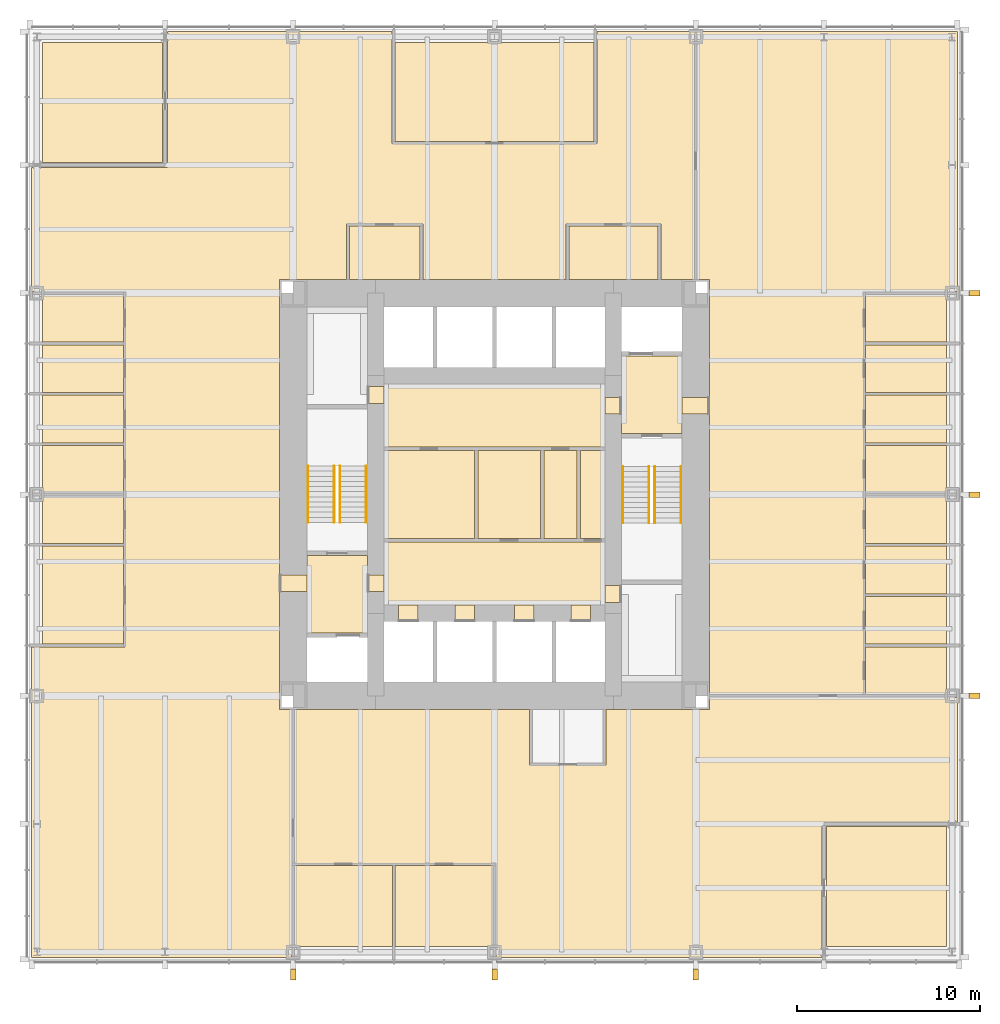
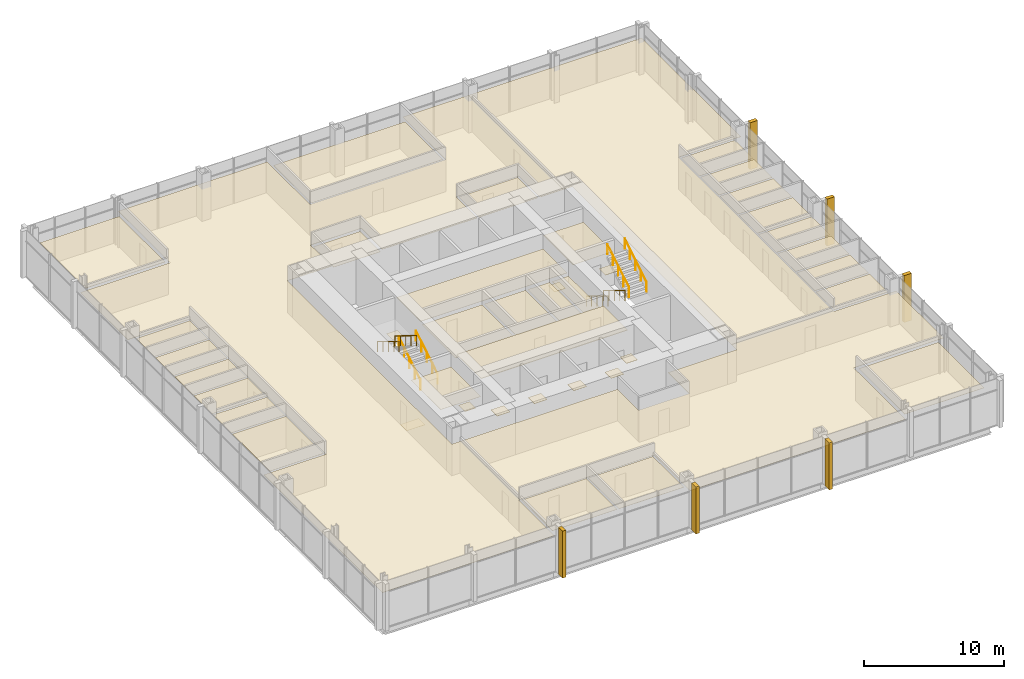
# One storey, part 13 of 13: 48 coverings, 8 railings.
"""IFC4 building model written with IfcOpenShell, lengths in metres."""

import ifcopenshell
import ifcopenshell.guid

model = None  # the IFC model being written
_history = None  # IfcOwnerHistory: only IFC2X3 demands one
_inside = {}  # id of a spatial element -> (the spatial element, [elements in it])
_under = {}  # id of a project, library or spatial element -> (it, [spatial elements below it])
_declared = {}  # id of a project -> (the project, [libraries it declares])
_typed = {}  # id of a type object -> (the type object, [elements of that type])
_made_of = {}  # id of a material, layer set ... -> (it, [elements and type objects made of it])


def new_model(schema):
    """Start an empty IFC model of exactly this schema.

    Asked for "IFC4X3", IfcOpenShell would pick the latest addendum, in which some entities
    have other attributes; the version numbers below select the first issue.
    IFC2X3 requires an IfcOwnerHistory on every rooted entity: one is made here for all.
    """
    global model, _history
    if schema == "IFC4X3":
        model = ifcopenshell.file(schema_version=(4, 3, 0, 0))
    else:
        model = ifcopenshell.file(schema=schema)
    _inside.clear()
    _under.clear()
    _declared.clear()
    _typed.clear()
    _made_of.clear()
    _history = None
    if model.schema == "IFC2X3":
        org = make("IfcOrganization", Name="unknown")
        user = make(
            "IfcPersonAndOrganization",
            ThePerson=make("IfcPerson", FamilyName="unknown"),
            TheOrganization=org,
        )
        app = make(
            "IfcApplication",
            ApplicationDeveloper=org,
            Version="unknown",
            ApplicationFullName="unknown",
            ApplicationIdentifier="unknown",
        )
        _history = make(
            "IfcOwnerHistory",
            OwningUser=user,
            OwningApplication=app,
            ChangeAction="ADDED",
            CreationDate=0,
        )
    return model


def make(cls, **values):
    """One entity of the class cls with the attributes given. An attribute that is None is left unset."""
    return model.create_entity(
        cls, **{name: value for name, value in values.items() if value is not None}
    )


def rooted(cls, **values):
    """An entity with a GlobalId (a new one), such as an element, a storey or a relation."""
    return make(cls, GlobalId=ifcopenshell.guid.new(), OwnerHistory=_history, **values)


def si_unit(unit_type, name, prefix=None):
    """IfcSIUnit, for example si_unit("LENGTHUNIT", "METRE", prefix="MILLI")."""
    return make("IfcSIUnit", UnitType=unit_type, Prefix=prefix, Name=name)


def assignment(units):
    """IfcUnitAssignment: the units of a project."""
    return None if units is None else make("IfcUnitAssignment", Units=units)


def point(xyz):
    """IfcCartesianPoint."""
    return None if xyz is None else make("IfcCartesianPoint", Coordinates=xyz)


def direction(xyz):
    """IfcDirection."""
    return None if xyz is None else make("IfcDirection", DirectionRatios=xyz)


def frame(location, z_axis=None, x_axis=None):
    """IfcAxis2Placement3D, a coordinate frame: its origin and axes. An axis left out is left unset."""
    return make(
        "IfcAxis2Placement3D",
        Location=point(location),
        Axis=direction(z_axis),
        RefDirection=direction(x_axis),
    )


def frame_2d(location, x_axis=None):
    """IfcAxis2Placement2D, a coordinate frame in the plane: its origin and x axis."""
    return make(
        "IfcAxis2Placement2D", Location=point(location), RefDirection=direction(x_axis)
    )


def origin():
    """The frame at (0, 0, 0) with its axes left unset."""
    return frame((0.0, 0.0, 0.0))


def origin_2d():
    """The frame at (0, 0) in the plane with its x axis left unset."""
    return frame_2d((0.0, 0.0))


def place(relative_to, where):
    """IfcLocalPlacement: puts the frame where relative to a parent placement (None: the world)."""
    return make(
        "IfcLocalPlacement", PlacementRelTo=relative_to, RelativePlacement=where
    )


def context(
    kind, dimensions, precision=None, world=None, true_north=None, identifier=None
):
    """IfcGeometricRepresentationContext, for example the 3D "Model" context."""
    return make(
        "IfcGeometricRepresentationContext",
        ContextIdentifier=identifier,
        ContextType=kind,
        CoordinateSpaceDimension=dimensions,
        Precision=precision,
        WorldCoordinateSystem=world,
        TrueNorth=true_north,
    )


def subcontext(parent, identifier, kind, view, scale=None):
    """IfcGeometricRepresentationSubContext, for example "Body" below "Model"."""
    return make(
        "IfcGeometricRepresentationSubContext",
        ContextIdentifier=identifier,
        ContextType=kind,
        ParentContext=parent,
        TargetScale=scale,
        TargetView=view,
    )


def project(units=None, contexts=None):
    """IfcProject with its units and contexts."""
    return rooted(
        "IfcProject",
        Name="project",
        RepresentationContexts=contexts,
        UnitsInContext=assignment(units),
    )


def spatial(cls, under=None, at=None, **own):
    """A site, building, storey or space (cls), placed at a placement, below another one or the project."""
    s = rooted(cls, ObjectPlacement=at, **own)
    if under is not None:
        _under.setdefault(under.id(), (under, []))[1].append(s)
    return s


def polyline(points):
    """IfcPolyline through the points."""
    return make("IfcPolyline", Points=[point(p) for p in points])


def profile(cls, at=None, kind="AREA", **sizes):
    """A parametric profile (cls). Its sizes go by their IFC names, for example OverallWidth=200.0."""
    return make(cls, ProfileType=kind, Position=at, **sizes)


def rectangle(**sizes):
    """IfcRectangleProfileDef."""
    return profile("IfcRectangleProfileDef", **sizes)


def circle(**sizes):
    """IfcCircleProfileDef."""
    return profile("IfcCircleProfileDef", **sizes)


def outline(outer, holes=None, kind="AREA"):
    """IfcArbitraryClosedProfileDef: a profile drawn as a closed curve; with holes, ...WithVoids."""
    if holes is None:
        return make("IfcArbitraryClosedProfileDef", ProfileType=kind, OuterCurve=outer)
    return make(
        "IfcArbitraryProfileDefWithVoids",
        ProfileType=kind,
        OuterCurve=outer,
        InnerCurves=holes,
    )


def extrude(swept, where, along, depth):
    """IfcExtrudedAreaSolid: the profile swept, set in the frame where, extruded along a direction by depth."""
    return make(
        "IfcExtrudedAreaSolid",
        SweptArea=swept,
        Position=where,
        ExtrudedDirection=direction(along),
        Depth=depth,
    )


def shape(context_of_items, identifier, shape_type, items):
    """IfcShapeRepresentation: the items that make up one representation, for example the "Body"."""
    return make(
        "IfcShapeRepresentation",
        ContextOfItems=context_of_items,
        RepresentationIdentifier=identifier,
        RepresentationType=shape_type,
        Items=items,
    )


def material(Name=None, Category=None):
    """IfcMaterial."""
    return make("IfcMaterial", Name=Name, Category=Category)


def layer(
    of_material, thickness, ventilated=None, Name=None, Category=None, Priority=None
):
    """IfcMaterialLayer: one layer of a wall or slab, of a material (None: an air gap)."""
    return make(
        "IfcMaterialLayer",
        Material=of_material,
        LayerThickness=thickness,
        IsVentilated=ventilated,
        Name=Name,
        Category=Category,
        Priority=Priority,
    )


def layer_set(layers, Name=None):
    """IfcMaterialLayerSet."""
    return make("IfcMaterialLayerSet", MaterialLayers=layers, LayerSetName=Name)


def made_of(thing, what):
    """Note that an element or type object is made of a material, layer set ...; save() writes the relation."""
    if what is not None:
        _made_of.setdefault(what.id(), (what, []))[1].append(thing)
    return thing


def type_object(cls, material=None, **own):
    """A type object (cls), such as IfcWallType, which elements share."""
    return made_of(rooted(cls, **own), material)


def element(
    cls,
    number,
    at=None,
    inside=None,
    cuts=None,
    type_object=None,
    material=None,
    context=None,
    identifier="Body",
    shape_type=None,
    held_by="IfcProductDefinitionShape",
    body=None,
    shapes=None,
    **own,
):
    """One element of the class cls, such as IfcWall. Its Tag is "e" and its number.

    at: its placement. inside: the storey or other place that contains it. cuts: it is an
    opening in that element (IfcRelVoidsElement). A single representation is given by context,
    identifier, shape_type and body (its items); several are given by shapes. held_by: the class
    of the entity that holds the representations. save() writes the other relations.
    """
    e = rooted(cls, Tag="e%d" % number, ObjectPlacement=at, **own)
    if body is not None:
        shapes = [shape(context, identifier, shape_type, body)]
    if shapes is not None:
        e.Representation = make(held_by, Representations=shapes)
    if inside is not None:
        _inside.setdefault(inside.id(), (inside, []))[1].append(e)
    if cuts is not None:
        rooted(
            "IfcRelVoidsElement", RelatingBuildingElement=cuts, RelatedOpeningElement=e
        )
    if type_object is not None:
        _typed.setdefault(type_object.id(), (type_object, []))[1].append(e)
    return made_of(e, material)


def aggregate(whole, parts):
    """IfcRelAggregates: a whole, such as a stair, and the parts it consists of."""
    return rooted("IfcRelAggregates", RelatingObject=whole, RelatedObjects=parts)


def save(model, path):
    """Write the relations noted so far, then the file.

    IfcRelAggregates (storeys below a building ...), IfcRelContainedInSpatialStructure (elements
    in a storey), IfcRelDefinesByType, IfcRelAssociatesMaterial and IfcRelDeclares: one each for
    every whole, place, type object, material and project.
    """
    for whole, parts in _under.values():
        aggregate(whole, parts)
    for where, things in _inside.values():
        rooted(
            "IfcRelContainedInSpatialStructure",
            RelatedElements=things,
            RelatingStructure=where,
        )
    for kind, things in _typed.values():
        rooted("IfcRelDefinesByType", RelatedObjects=things, RelatingType=kind)
    for what, things in _made_of.values():
        rooted("IfcRelAssociatesMaterial", RelatedObjects=things, RelatingMaterial=what)
    for by, libraries in _declared.values():
        rooted("IfcRelDeclares", RelatingContext=by, RelatedDefinitions=libraries)
    model.write(path)


model = new_model("IFC4")

# Units and contexts
model_context = context("Model", 3, precision=1e-05, world=origin(), true_north=direction((0.0, 1.0)))
body_context = subcontext(model_context, "Body", "Model", "MODEL_VIEW")
ifc_project = project(units=[si_unit("LENGTHUNIT", "METRE"), si_unit("AREAUNIT", "SQUARE_METRE"), si_unit("VOLUMEUNIT", "CUBIC_METRE"), si_unit("PLANEANGLEUNIT", "RADIAN"), si_unit("MASSUNIT", "GRAM", prefix="KILO")], contexts=[model_context])

# Site, building, storey
site_placement = place(None, origin())
site = spatial("IfcSite", under=ifc_project, at=site_placement, CompositionType="ELEMENT")
building_placement = place(site_placement, origin())
building = spatial("IfcBuilding", under=site, at=building_placement, Name="Trevanion Tower", CompositionType="ELEMENT")
storey_placement = place(building_placement, frame((0.0, 0.0, 81.60009765625)))
storey = spatial("IfcBuildingStorey", under=building, at=storey_placement, Name="L19", CompositionType="ELEMENT", Elevation=81.60009765625)

# Coverings
ifc_material_1 = material(Name="Fibrous plaster coffers on suspended steel grid", Category="steel")
ifc_layer_1 = layer(ifc_material_1, 0.050048828125)
ifc_layer_set_1 = layer_set([ifc_layer_1], Name="CL1 coffered fibrous plaster ceiling 50")
covering_type_1 = type_object("IfcCoveringType", Name="CL1 coffered fibrous plaster ceiling 50", PredefinedType="CEILING", material=ifc_layer_set_1)
covering_1_placement = place(storey_placement, frame((0.0, 0.0, 3.0)))
element("IfcCovering", 1, at=covering_1_placement, inside=storey, type_object=covering_type_1, Name="CL1 L19-LBS", PredefinedType="CEILING", context=body_context, shape_type="SweptSolid", body=[
    extrude(outline(polyline([(6.050048828125, -6.050048828125), (6.050048828125, -2.60009765625), (-6.050048828125, -2.60009765625), (-6.050048828125, -6.050048828125), (6.050048828125, -6.050048828125)])), origin(), (0.0, 0.0, 1.0), 0.0498046875),
])
ifc_material_2 = material(Name="Mineral fibre acoustic tiles in exposed grid", Category="mineral fibre")
ifc_layer_2 = layer(ifc_material_2, 0.02001953125)
ifc_layer_set_2 = layer_set([ifc_layer_2], Name="CL2 acoustic tile ceiling 20")
covering_type_2 = type_object("IfcCoveringType", Name="CL2 acoustic tile ceiling 20", PredefinedType="CEILING", material=ifc_layer_set_2)
covering_2_placement = place(storey_placement, frame((0.0, 0.0, 2.75)))
element("IfcCovering", 2, at=covering_2_placement, inside=storey, type_object=covering_type_2, Name="CL2 L19-LBN", PredefinedType="CEILING", context=body_context, shape_type="SweptSolid", body=[
    extrude(outline(polyline([(6.050048828125, 2.60009765625), (6.050048828125, 6.050048828125), (-6.050048828125, 6.050048828125), (-6.050048828125, 2.60009765625), (6.050048828125, 2.60009765625)])), origin(), (0.0, 0.0, 1.0), 0.02001953125),
])
covering_3_placement = place(storey_placement, frame((0.0, 0.0, 2.75)))
element("IfcCovering", 3, at=covering_3_placement, inside=storey, type_object=covering_type_2, Name="CL2 L19-OF", PredefinedType="CEILING", context=body_context, shape_type="SweptSolid", body=[
    extrude(outline(polyline([(-18.14990234375, 18.14990234375), (-24.699951171875, 18.14990234375), (-24.699951171875, 24.699951171875), (-18.14990234375, 24.699951171875), (-18.14990234375, 18.14990234375)])), origin(), (0.0, 0.0, 1.0), 0.02001953125),
])
covering_4_placement = place(storey_placement, frame((0.0, 0.0, 2.75)))
element("IfcCovering", 4, at=covering_4_placement, inside=storey, type_object=covering_type_2, Name="CL2 L19-BR", PredefinedType="CEILING", context=body_context, shape_type="SweptSolid", body=[
    extrude(outline(polyline([(18.14990234375, -18.14990234375), (24.699951171875, -18.14990234375), (24.699951171875, -24.699951171875), (18.14990234375, -24.699951171875), (18.14990234375, -18.14990234375)])), origin(), (0.0, 0.0, 1.0), 0.02001953125),
])
covering_5_placement = place(storey_placement, frame((0.0, 0.0, 2.75)))
element("IfcCovering", 5, at=covering_5_placement, inside=storey, type_object=covering_type_2, Name="CL2 L19-OF2", PredefinedType="CEILING", context=body_context, shape_type="SweptSolid", body=[
    extrude(outline(polyline([(20.27490234375, -10.925048828125), (20.27490234375, -8.324951171875), (24.699951171875, -8.324951171875), (24.699951171875, -10.925048828125), (20.27490234375, -10.925048828125)])), origin(), (0.0, 0.0, 1.0), 0.02001953125),
])
covering_6_placement = place(storey_placement, frame((0.0, 0.0, 2.75)))
element("IfcCovering", 6, at=covering_6_placement, inside=storey, type_object=covering_type_2, Name="CL2 L19-OF3", PredefinedType="CEILING", context=body_context, shape_type="SweptSolid", body=[
    extrude(outline(polyline([(20.27490234375, -8.175048828125), (20.27490234375, -5.574951171875), (24.699951171875, -5.574951171875), (24.699951171875, -8.175048828125), (20.27490234375, -8.175048828125)])), origin(), (0.0, 0.0, 1.0), 0.02001953125),
])
covering_7_placement = place(storey_placement, frame((0.0, 0.0, 2.75)))
element("IfcCovering", 7, at=covering_7_placement, inside=storey, type_object=covering_type_2, Name="CL2 L19-OF4", PredefinedType="CEILING", context=body_context, shape_type="SweptSolid", body=[
    extrude(outline(polyline([(20.27490234375, -5.425048828125), (20.27490234375, -2.824951171875), (24.699951171875, -2.824951171875), (24.699951171875, -5.425048828125), (20.27490234375, -5.425048828125)])), origin(), (0.0, 0.0, 1.0), 0.02001953125),
])
covering_8_placement = place(storey_placement, frame((0.0, 0.0, 2.75)))
element("IfcCovering", 8, at=covering_8_placement, inside=storey, type_object=covering_type_2, Name="CL2 L19-OF5", PredefinedType="CEILING", context=body_context, shape_type="SweptSolid", body=[
    extrude(outline(polyline([(20.27490234375, -2.675048828125), (20.27490234375, -0.074951171875), (24.699951171875, -0.074951171875), (24.699951171875, -2.675048828125), (20.27490234375, -2.675048828125)])), origin(), (0.0, 0.0, 1.0), 0.02001953125),
])
covering_9_placement = place(storey_placement, frame((0.0, 0.0, 2.75)))
element("IfcCovering", 9, at=covering_9_placement, inside=storey, type_object=covering_type_2, Name="CL2 L19-OF6", PredefinedType="CEILING", context=body_context, shape_type="SweptSolid", body=[
    extrude(outline(polyline([(20.27490234375, 0.074951171875), (20.27490234375, 2.675048828125), (24.699951171875, 2.675048828125), (24.699951171875, 0.074951171875), (20.27490234375, 0.074951171875)])), origin(), (0.0, 0.0, 1.0), 0.02001953125),
])
covering_10_placement = place(storey_placement, frame((0.0, 0.0, 2.75)))
element("IfcCovering", 10, at=covering_10_placement, inside=storey, type_object=covering_type_2, Name="CL2 L19-OF7", PredefinedType="CEILING", context=body_context, shape_type="SweptSolid", body=[
    extrude(outline(polyline([(20.27490234375, 2.824951171875), (20.27490234375, 5.425048828125), (24.699951171875, 5.425048828125), (24.699951171875, 2.824951171875), (20.27490234375, 2.824951171875)])), origin(), (0.0, 0.0, 1.0), 0.02001953125),
])
covering_11_placement = place(storey_placement, frame((0.0, 0.0, 2.75)))
element("IfcCovering", 11, at=covering_11_placement, inside=storey, type_object=covering_type_2, Name="CL2 L19-OF8", PredefinedType="CEILING", context=body_context, shape_type="SweptSolid", body=[
    extrude(outline(polyline([(20.27490234375, 5.574951171875), (20.27490234375, 8.175048828125), (24.699951171875, 8.175048828125), (24.699951171875, 5.574951171875), (20.27490234375, 5.574951171875)])), origin(), (0.0, 0.0, 1.0), 0.02001953125),
])
covering_12_placement = place(storey_placement, frame((0.0, 0.0, 2.75)))
element("IfcCovering", 12, at=covering_12_placement, inside=storey, type_object=covering_type_2, Name="CL2 L19-OF9", PredefinedType="CEILING", context=body_context, shape_type="SweptSolid", body=[
    extrude(outline(polyline([(20.27490234375, 8.324951171875), (20.27490234375, 10.925048828125), (24.699951171875, 10.925048828125), (24.699951171875, 8.324951171875), (20.27490234375, 8.324951171875)])), origin(), (0.0, 0.0, 1.0), 0.02001953125),
])
covering_13_placement = place(storey_placement, frame((0.0, 0.0, 2.75)))
element("IfcCovering", 13, at=covering_13_placement, inside=storey, type_object=covering_type_2, Name="CL2 L19-OF10", PredefinedType="CEILING", context=body_context, shape_type="SweptSolid", body=[
    extrude(outline(polyline([(-20.27490234375, 10.925048828125), (-20.27490234375, 8.324951171875), (-24.699951171875, 8.324951171875), (-24.699951171875, 10.925048828125), (-20.27490234375, 10.925048828125)])), origin(), (0.0, 0.0, 1.0), 0.02001953125),
])
covering_14_placement = place(storey_placement, frame((0.0, 0.0, 2.75)))
element("IfcCovering", 14, at=covering_14_placement, inside=storey, type_object=covering_type_2, Name="CL2 L19-OF11", PredefinedType="CEILING", context=body_context, shape_type="SweptSolid", body=[
    extrude(outline(polyline([(-20.27490234375, 8.175048828125), (-20.27490234375, 5.574951171875), (-24.699951171875, 5.574951171875), (-24.699951171875, 8.175048828125), (-20.27490234375, 8.175048828125)])), origin(), (0.0, 0.0, 1.0), 0.02001953125),
])
covering_15_placement = place(storey_placement, frame((0.0, 0.0, 2.75)))
element("IfcCovering", 15, at=covering_15_placement, inside=storey, type_object=covering_type_2, Name="CL2 L19-OF12", PredefinedType="CEILING", context=body_context, shape_type="SweptSolid", body=[
    extrude(outline(polyline([(-20.27490234375, 5.425048828125), (-20.27490234375, 2.824951171875), (-24.699951171875, 2.824951171875), (-24.699951171875, 5.425048828125), (-20.27490234375, 5.425048828125)])), origin(), (0.0, 0.0, 1.0), 0.02001953125),
])
covering_16_placement = place(storey_placement, frame((0.0, 0.0, 2.75)))
element("IfcCovering", 16, at=covering_16_placement, inside=storey, type_object=covering_type_2, Name="CL2 L19-OF13", PredefinedType="CEILING", context=body_context, shape_type="SweptSolid", body=[
    extrude(outline(polyline([(-20.27490234375, 2.675048828125), (-20.27490234375, 0.074951171875), (-24.699951171875, 0.074951171875), (-24.699951171875, 2.675048828125), (-20.27490234375, 2.675048828125)])), origin(), (0.0, 0.0, 1.0), 0.02001953125),
])
covering_17_placement = place(storey_placement, frame((0.0, 0.0, 2.75)))
element("IfcCovering", 17, at=covering_17_placement, inside=storey, type_object=covering_type_2, Name="CL2 L19-OF14", PredefinedType="CEILING", context=body_context, shape_type="SweptSolid", body=[
    extrude(outline(polyline([(-20.27490234375, -0.074951171875), (-20.27490234375, -2.675048828125), (-24.699951171875, -2.675048828125), (-24.699951171875, -0.074951171875), (-20.27490234375, -0.074951171875)])), origin(), (0.0, 0.0, 1.0), 0.02001953125),
])
covering_18_placement = place(storey_placement, frame((0.0, 0.0, 2.75)))
element("IfcCovering", 18, at=covering_18_placement, inside=storey, type_object=covering_type_2, Name="CL2 L19-MR", PredefinedType="CEILING", context=body_context, shape_type="SweptSolid", body=[
    extrude(outline(polyline([(-20.27490234375, -2.824951171875), (-20.27490234375, -8.175048828125), (-24.699951171875, -8.175048828125), (-24.699951171875, -2.824951171875), (-20.27490234375, -2.824951171875)])), origin(), (0.0, 0.0, 1.0), 0.02001953125),
])
covering_19_placement = place(storey_placement, frame((0.0, 0.0, 2.75)))
element("IfcCovering", 19, at=covering_19_placement, inside=storey, type_object=covering_type_2, Name="CL2 L19-BR2", PredefinedType="CEILING", context=body_context, shape_type="SweptSolid", body=[
    extrude(outline(polyline([(5.425048828125, 19.27490234375), (-5.425048828125, 19.27490234375), (-5.425048828125, 24.699951171875), (5.425048828125, 24.699951171875), (5.425048828125, 19.27490234375)])), origin(), (0.0, 0.0, 1.0), 0.02001953125),
])
covering_20_placement = place(storey_placement, frame((0.0, 0.0, 2.75)))
element("IfcCovering", 20, at=covering_20_placement, inside=storey, type_object=covering_type_2, Name="CL2 L19-MR2", PredefinedType="CEILING", context=body_context, shape_type="SweptSolid", body=[
    extrude(outline(polyline([(-10.925048828125, -20.27490234375), (-5.574951171875, -20.27490234375), (-5.574951171875, -24.699951171875), (-10.925048828125, -24.699951171875), (-10.925048828125, -20.27490234375)])), origin(), (0.0, 0.0, 1.0), 0.02001953125),
])
covering_21_placement = place(storey_placement, frame((0.0, 0.0, 2.75)))
element("IfcCovering", 21, at=covering_21_placement, inside=storey, type_object=covering_type_2, Name="CL2 L19-MR3", PredefinedType="CEILING", context=body_context, shape_type="SweptSolid", body=[
    extrude(outline(polyline([(-5.425048828125, -20.27490234375), (-0.074951171875, -20.27490234375), (-0.074951171875, -24.699951171875), (-5.425048828125, -24.699951171875), (-5.425048828125, -20.27490234375)])), origin(), (0.0, 0.0, 1.0), 0.02001953125),
])
covering_22_placement = place(storey_placement, frame((0.0, 0.0, 2.75)))
element("IfcCovering", 22, at=covering_22_placement, inside=storey, type_object=covering_type_2, Name="CL2 L19-RC", PredefinedType="CEILING", context=body_context, shape_type="SweptSolid", body=[
    extrude(outline(polyline([(4.074951171875, 14.675048828125), (8.925048828125, 14.675048828125), (8.925048828125, 11.75), (4.074951171875, 11.75), (4.074951171875, 14.675048828125)])), origin(), (0.0, 0.0, 1.0), 0.02001953125),
])
covering_23_placement = place(storey_placement, frame((0.0, 0.0, 2.75)))
element("IfcCovering", 23, at=covering_23_placement, inside=storey, type_object=covering_type_2, Name="CL2 L19-OP", PredefinedType="CEILING", context=body_context, shape_type="SweptSolid", body=[
    extrude(outline(polyline([(11.75, 11.75), (11.0, 11.75), (11.0, 25.300048828125), (25.300048828125, 25.300048828125), (25.300048828125, 11.094970703125), (20.179931640625, 11.094970703125), (20.179931640625, -11.0), (11.75, -11.0), (11.75, 11.75)])), origin(), (0.0, 0.0, 1.0), 0.02001953125),
])
covering_24_placement = place(storey_placement, frame((0.0, 0.0, 2.75)))
element("IfcCovering", 24, at=covering_24_placement, inside=storey, type_object=covering_type_2, Name="CL2 L19-OP2", PredefinedType="CEILING", context=body_context, shape_type="SweptSolid", body=[
    extrude(outline(polyline([(-11.0, -11.75), (-11.0, -20.179931640625), (-11.094970703125, -20.179931640625), (-11.094970703125, -25.300048828125), (-25.300048828125, -25.300048828125), (-25.300048828125, -8.344970703125), (-20.179931640625, -8.344970703125), (-20.179931640625, 11.094970703125), (-25.300048828125, 11.094970703125), (-25.300048828125, 17.8798828125), (-17.8798828125, 17.8798828125), (-17.8798828125, 25.300048828125), (-5.594970703125, 25.300048828125), (-5.594970703125, 19.179931640625), (5.594970703125, 19.179931640625), (5.594970703125, 25.300048828125), (11.0, 25.300048828125), (11.0, 11.75), (9.094970703125, 11.75), (9.094970703125, 14.77001953125), (3.905029296875, 14.77001953125), (3.905029296875, 11.75), (-3.905029296875, 11.75), (-3.905029296875, 14.77001953125), (-8.094970703125, 14.77001953125), (-8.094970703125, 11.75), (-11.75, 11.75), (-11.75, -11.75), (-11.0, -11.75)])), origin(), (0.0, 0.0, 1.0), 0.02001953125),
])
covering_25_placement = place(storey_placement, frame((0.0, 0.0, 2.75)))
element("IfcCovering", 25, at=covering_25_placement, inside=storey, type_object=covering_type_2, Name="CL2 L19-OP3", PredefinedType="CEILING", context=body_context, shape_type="SweptSolid", body=[
    extrude(outline(polyline([(1.905029296875, -11.75), (1.905029296875, -14.77001953125), (6.094970703125, -14.77001953125), (6.094970703125, -11.75), (11.75, -11.75), (11.75, -11.0), (20.179931640625, -11.0), (20.179931640625, -11.094970703125), (25.300048828125, -11.094970703125), (25.300048828125, -17.8798828125), (17.8798828125, -17.8798828125), (17.8798828125, -25.300048828125), (0.094970703125, -25.300048828125), (0.094970703125, -20.179931640625), (-11.0, -20.179931640625), (-11.0, -11.75), (1.905029296875, -11.75)])), origin(), (0.0, 0.0, 1.0), 0.02001953125),
])
ifc_material_3 = material(Name="Gypsum plasterboard on suspended metal furring", Category="gypsum")
ifc_layer_3 = layer(ifc_material_3, 0.012939453125)
ifc_layer_set_3 = layer_set([ifc_layer_3], Name="CL3 plasterboard ceiling 13")
covering_type_3 = type_object("IfcCoveringType", Name="CL3 plasterboard ceiling 13", PredefinedType="CEILING", material=ifc_layer_set_3)
covering_26_placement = place(storey_placement, frame((0.0, 0.0, 2.699951171875)))
element("IfcCovering", 26, at=covering_26_placement, inside=storey, type_object=covering_type_3, Name="CL3 L19-FV1", PredefinedType="CEILING", context=body_context, shape_type="SweptSolid", body=[
    extrude(outline(polyline([(10.25, 3.324951171875), (10.25, 7.574951171875), (6.949951171875, 7.574951171875), (6.949951171875, 3.324951171875), (10.25, 3.324951171875)])), origin(), (0.0, 0.0, 1.0), 0.012939453125),
])
covering_27_placement = place(storey_placement, frame((0.0, 0.0, 2.699951171875)))
element("IfcCovering", 27, at=covering_27_placement, inside=storey, type_object=covering_type_3, Name="CL3 L19-FV2", PredefinedType="CEILING", context=body_context, shape_type="SweptSolid", body=[
    extrude(outline(polyline([(-10.25, -3.324951171875), (-10.25, -7.574951171875), (-6.949951171875, -7.574951171875), (-6.949951171875, -3.324951171875), (-10.25, -3.324951171875)])), origin(), (0.0, 0.0, 1.0), 0.012939453125),
])
ifc_material_4 = material(Name="Moisture-resistant gypsum board on suspended metal furring", Category="gypsum")
ifc_layer_4 = layer(ifc_material_4, 0.01611328125)
ifc_layer_set_4 = layer_set([ifc_layer_4], Name="CL4 moisture-resistant board ceiling 16")
covering_type_4 = type_object("IfcCoveringType", Name="CL4 moisture-resistant board ceiling 16", PredefinedType="CEILING", material=ifc_layer_set_4)
covering_28_placement = place(storey_placement, frame((0.0, 0.0, 2.599853515625)))
element("IfcCovering", 28, at=covering_28_placement, inside=storey, type_object=covering_type_4, Name="CL4 L19-WCM", PredefinedType="CEILING", context=body_context, shape_type="SweptSolid", body=[
    extrude(outline(polyline([(-1.10009765625, -2.39990234375), (-1.10009765625, 2.39990234375), (-6.050048828125, 2.39990234375), (-6.050048828125, -2.39990234375), (-1.10009765625, -2.39990234375)])), origin(), (0.0, 0.0, 1.0), 0.01611328125),
])
covering_29_placement = place(storey_placement, frame((0.0, 0.0, 2.599853515625)))
element("IfcCovering", 29, at=covering_29_placement, inside=storey, type_object=covering_type_4, Name="CL4 L19-WCF", PredefinedType="CEILING", context=body_context, shape_type="SweptSolid", body=[
    extrude(outline(polyline([(2.5, -2.39990234375), (2.5, 2.39990234375), (-0.89990234375, 2.39990234375), (-0.89990234375, -2.39990234375), (2.5, -2.39990234375)])), origin(), (0.0, 0.0, 1.0), 0.01611328125),
])
covering_30_placement = place(storey_placement, frame((0.0, 0.0, 2.599853515625)))
element("IfcCovering", 30, at=covering_30_placement, inside=storey, type_object=covering_type_4, Name="CL4 L19-WCA", PredefinedType="CEILING", context=body_context, shape_type="SweptSolid", body=[
    extrude(outline(polyline([(4.5, -2.39990234375), (4.5, 2.39990234375), (2.699951171875, 2.39990234375), (2.699951171875, -2.39990234375), (4.5, -2.39990234375)])), origin(), (0.0, 0.0, 1.0), 0.01611328125),
])
covering_31_placement = place(storey_placement, frame((0.0, 0.0, 2.599853515625)))
element("IfcCovering", 31, at=covering_31_placement, inside=storey, type_object=covering_type_4, Name="CL4 L19-SH", PredefinedType="CEILING", context=body_context, shape_type="SweptSolid", body=[
    extrude(outline(polyline([(6.050048828125, -2.39990234375), (6.050048828125, 2.39990234375), (4.699951171875, 2.39990234375), (4.699951171875, -2.39990234375), (6.050048828125, -2.39990234375)])), origin(), (0.0, 0.0, 1.0), 0.01611328125),
])
covering_32_placement = place(storey_placement, frame((0.0, 0.0, 2.599853515625)))
element("IfcCovering", 32, at=covering_32_placement, inside=storey, type_object=covering_type_4, Name="CL4 L19-PA", PredefinedType="CEILING", context=body_context, shape_type="SweptSolid", body=[
    extrude(outline(polyline([(-7.925048828125, 14.675048828125), (-4.074951171875, 14.675048828125), (-4.074951171875, 11.75), (-7.925048828125, 11.75), (-7.925048828125, 14.675048828125)])), origin(), (0.0, 0.0, 1.0), 0.01611328125),
])
ifc_material_5 = material(Name="Cast bronze fin on aluminium carrier", Category="aluminium")
covering_type_5 = type_object("IfcCoveringType", Name="F1 bronze fin", PredefinedType="CLADDING", material=ifc_material_5)
for number, where, z_axis, x_axis, name in (
    (33, (26.22509765625, -11.0, -0.190185546875), (0.0, 0.0, 1.0), (0.0, 1.0, 0.0), "F1 L19 east -11.0"),
    (34, (26.22509765625, 0.0, -0.190185546875), (0.0, 0.0, 1.0), (0.0, 1.0, 0.0), "F1 L19 east +0.0"),
    (35, (26.22509765625, 11.0, -0.190185546875), (0.0, 0.0, 1.0), (0.0, 1.0, 0.0), "F1 L19 east +11.0"),
    (36, (-11.0, -26.22509765625, -0.190185546875), (0.0, 0.0, 1.0), (1.0, 0.0, 0.0), "F1 L19 south -11.0"),
    (37, (0.0, -26.22509765625, -0.190185546875), (0.0, 0.0, 1.0), (1.0, 0.0, 0.0), "F1 L19 south +0.0"),
    (38, (11.0, -26.22509765625, -0.190185546875), (0.0, 0.0, 1.0), (1.0, 0.0, 0.0), "F1 L19 south +11.0"),
):
    element("IfcCovering", number, at=place(storey_placement, frame(where, z_axis=z_axis, x_axis=x_axis)), inside=storey, type_object=covering_type_5, Name=name, PredefinedType="CLADDING", context=body_context, shape_type="SweptSolid", body=[
        extrude(rectangle(XDim=0.300048828125, YDim=0.60009765625, at=origin_2d()), origin(), (0.0, 0.0, 1.0), 4.10009765625),
    ])
ifc_material_6 = material(Name="Terrazzo, brass divider strips", Category="stone")
ifc_layer_5 = layer(ifc_material_6, 0.02001953125)
ifc_layer_set_5 = layer_set([ifc_layer_5], Name="FF1 terrazzo flooring")
covering_type_6 = type_object("IfcCoveringType", Name="FF1 terrazzo flooring", PredefinedType="FLOORING", material=ifc_layer_set_5)
covering_33_placement = place(storey_placement, origin())
element("IfcCovering", 39, at=covering_33_placement, inside=storey, type_object=covering_type_6, Name="FF1 threshold 19-001", PredefinedType="FLOORING", context=body_context, shape_type="SweptSolid", body=[
    extrude(outline(polyline([(11.75, 4.392578125), (11.75, 5.3076171875), (10.25, 5.3076171875), (10.25, 4.392578125), (11.75, 4.392578125)])), origin(), (0.0, 0.0, 1.0), 0.02001953125),
])
covering_34_placement = place(storey_placement, origin())
element("IfcCovering", 40, at=covering_34_placement, inside=storey, type_object=covering_type_6, Name="FF1 threshold 19-002", PredefinedType="FLOORING", context=body_context, shape_type="SweptSolid", body=[
    extrude(outline(polyline([(-11.75, -4.392578125), (-11.75, -5.3076171875), (-10.25, -5.3076171875), (-10.25, -4.392578125), (-11.75, -4.392578125)])), origin(), (0.0, 0.0, 1.0), 0.02001953125),
])
covering_35_placement = place(storey_placement, origin())
element("IfcCovering", 41, at=covering_35_placement, inside=storey, type_object=covering_type_6, Name="FF1 threshold 19-003", PredefinedType="FLOORING", context=body_context, shape_type="SweptSolid", body=[
    extrude(outline(polyline([(6.949951171875, 4.392578125), (6.949951171875, 5.3076171875), (6.050048828125, 5.3076171875), (6.050048828125, 4.392578125), (6.949951171875, 4.392578125)])), origin(), (0.0, 0.0, 1.0), 0.02001953125),
])
covering_36_placement = place(storey_placement, origin())
element("IfcCovering", 42, at=covering_36_placement, inside=storey, type_object=covering_type_6, Name="FF1 threshold 19-004", PredefinedType="FLOORING", context=body_context, shape_type="SweptSolid", body=[
    extrude(outline(polyline([(-6.949951171875, -4.392578125), (-6.949951171875, -5.3076171875), (-6.050048828125, -5.3076171875), (-6.050048828125, -4.392578125), (-6.949951171875, -4.392578125)])), origin(), (0.0, 0.0, 1.0), 0.02001953125),
])
covering_37_placement = place(storey_placement, origin())
element("IfcCovering", 43, at=covering_37_placement, inside=storey, type_object=covering_type_6, Name="FF1 threshold 19-009", PredefinedType="FLOORING", context=body_context, shape_type="SweptSolid", body=[
    extrude(outline(polyline([(6.949951171875, -5.889892578125), (6.949951171875, -4.97509765625), (6.050048828125, -4.97509765625), (6.050048828125, -5.889892578125), (6.949951171875, -5.889892578125)])), origin(), (0.0, 0.0, 1.0), 0.02001953125),
])
covering_38_placement = place(storey_placement, origin())
element("IfcCovering", 44, at=covering_38_placement, inside=storey, type_object=covering_type_6, Name="FF1 threshold 19-010", PredefinedType="FLOORING", context=body_context, shape_type="SweptSolid", body=[
    extrude(outline(polyline([(-6.949951171875, 5.889892578125), (-6.949951171875, 4.97509765625), (-6.050048828125, 4.97509765625), (-6.050048828125, 5.889892578125), (-6.949951171875, 5.889892578125)])), origin(), (0.0, 0.0, 1.0), 0.02001953125),
])
covering_39_placement = place(storey_placement, origin())
element("IfcCovering", 45, at=covering_39_placement, inside=storey, type_object=covering_type_6, Name="FF1 threshold 19-011", PredefinedType="FLOORING", context=body_context, shape_type="SweptSolid", body=[
    extrude(outline(polyline([(-5.2333984375, -6.949951171875), (-4.16650390625, -6.949951171875), (-4.16650390625, -6.050048828125), (-5.2333984375, -6.050048828125), (-5.2333984375, -6.949951171875)])), origin(), (0.0, 0.0, 1.0), 0.02001953125),
])
covering_40_placement = place(storey_placement, origin())
element("IfcCovering", 46, at=covering_40_placement, inside=storey, type_object=covering_type_6, Name="FF1 threshold 19-012", PredefinedType="FLOORING", context=body_context, shape_type="SweptSolid", body=[
    extrude(outline(polyline([(-2.158447265625, -6.949951171875), (-1.091552734375, -6.949951171875), (-1.091552734375, -6.050048828125), (-2.158447265625, -6.050048828125), (-2.158447265625, -6.949951171875)])), origin(), (0.0, 0.0, 1.0), 0.02001953125),
])
covering_41_placement = place(storey_placement, origin())
element("IfcCovering", 47, at=covering_41_placement, inside=storey, type_object=covering_type_6, Name="FF1 threshold 19-013", PredefinedType="FLOORING", context=body_context, shape_type="SweptSolid", body=[
    extrude(outline(polyline([(1.091552734375, -6.949951171875), (2.158447265625, -6.949951171875), (2.158447265625, -6.050048828125), (1.091552734375, -6.050048828125), (1.091552734375, -6.949951171875)])), origin(), (0.0, 0.0, 1.0), 0.02001953125),
])
covering_42_placement = place(storey_placement, origin())
element("IfcCovering", 48, at=covering_42_placement, inside=storey, type_object=covering_type_6, Name="FF1 threshold 19-014", PredefinedType="FLOORING", context=body_context, shape_type="SweptSolid", body=[
    extrude(outline(polyline([(4.16650390625, -6.949951171875), (5.2333984375, -6.949951171875), (5.2333984375, -6.050048828125), (4.16650390625, -6.050048828125), (4.16650390625, -6.949951171875)])), origin(), (0.0, 0.0, 1.0), 0.02001953125),
])

# Railings
ifc_material_7 = material(Name="Stainless steel tube 40 mm", Category="steel")
railing_type = type_object("IfcRailingType", Name="HR1 handrail", PredefinedType="HANDRAIL", material=ifc_material_7)
for number, where, name in (
    (49, (7.010009765625, 1.52490234375, 0.170654296875), "HR1 ST1 L19 flight 1"),
    (50, (8.43994140625, 1.52490234375, 0.170654296875), "HR1 ST1 L19 flight 1"),
):
    element("IfcRailing", number, at=place(storey_placement, frame(where)), inside=storey, type_object=railing_type, Name=name, PredefinedType="HANDRAIL", context=body_context, shape_type="SweptSolid", body=[
        extrude(circle(Radius=0.02001953125, at=origin_2d()), frame((0.0, 0.0, 0.8798828125), z_axis=(0.0, -0.853647949592, 0.520850437417), x_axis=(1.0, 0.0, 0.0)), (0.0, 0.0, 1.0), 3.60791015625),
        extrude(circle(Radius=0.01513671875, at=origin_2d()), origin(), (0.0, 0.0, 1.0), 0.85986328125),
        extrude(circle(Radius=0.01513671875, at=origin_2d()), frame((0.0, -0.77001953125, 0.4697265625)), (0.0, 0.0, 1.0), 0.85986328125),
        extrude(circle(Radius=0.01513671875, at=origin_2d()), frame((0.0, -1.5400390625, 0.939453125)), (0.0, 0.0, 1.0), 0.85986328125),
        extrude(circle(Radius=0.01513671875, at=origin_2d()), frame((0.0, -2.309814453125, 1.409423828125)), (0.0, 0.0, 1.0), 0.85986328125),
        extrude(circle(Radius=0.01513671875, at=origin_2d()), frame((0.0, -3.079833984375, 1.879150390625)), (0.0, 0.0, 1.0), 0.85986328125),
    ])
for number, where, name in (
    (51, (8.760009765625, -1.554931640625, 2.220703125), "HR1 ST1 L19 flight 2"),
    (52, (10.18994140625, -1.554931640625, 2.220703125), "HR1 ST1 L19 flight 2"),
    (53, (-7.010009765625, -1.52490234375, 0.170654296875), "HR1 ST2 L19 flight 1"),
    (54, (-8.43994140625, -1.52490234375, 0.170654296875), "HR1 ST2 L19 flight 1"),
):
    element("IfcRailing", number, at=place(storey_placement, frame(where)), inside=storey, type_object=railing_type, Name=name, PredefinedType="HANDRAIL", context=body_context, shape_type="SweptSolid", body=[
        extrude(circle(Radius=0.02001953125, at=origin_2d()), frame((0.0, 0.0, 0.8798828125), z_axis=(0.0, 0.853647949592, 0.520850437417), x_axis=(-1.0, 0.0, 0.0)), (0.0, 0.0, 1.0), 3.60791015625),
        extrude(circle(Radius=0.01513671875, at=origin_2d()), origin(), (0.0, 0.0, 1.0), 0.85986328125),
        extrude(circle(Radius=0.01513671875, at=origin_2d()), frame((0.0, 0.77001953125, 0.4697265625)), (0.0, 0.0, 1.0), 0.85986328125),
        extrude(circle(Radius=0.01513671875, at=origin_2d()), frame((0.0, 1.5400390625, 0.939453125)), (0.0, 0.0, 1.0), 0.85986328125),
        extrude(circle(Radius=0.01513671875, at=origin_2d()), frame((0.0, 2.309814453125, 1.409423828125)), (0.0, 0.0, 1.0), 0.85986328125),
        extrude(circle(Radius=0.01513671875, at=origin_2d()), frame((0.0, 3.079833984375, 1.879150390625)), (0.0, 0.0, 1.0), 0.85986328125),
    ])
for number, where, name in (
    (55, (-8.760009765625, 1.554931640625, 2.220703125), "HR1 ST2 L19 flight 2"),
    (56, (-10.18994140625, 1.554931640625, 2.220703125), "HR1 ST2 L19 flight 2"),
):
    element("IfcRailing", number, at=place(storey_placement, frame(where)), inside=storey, type_object=railing_type, Name=name, PredefinedType="HANDRAIL", context=body_context, shape_type="SweptSolid", body=[
        extrude(circle(Radius=0.02001953125, at=origin_2d()), frame((0.0, 0.0, 0.8798828125), z_axis=(0.0, -0.853647949592, 0.520850437417), x_axis=(1.0, 0.0, 0.0)), (0.0, 0.0, 1.0), 3.60791015625),
        extrude(circle(Radius=0.01513671875, at=origin_2d()), origin(), (0.0, 0.0, 1.0), 0.85986328125),
        extrude(circle(Radius=0.01513671875, at=origin_2d()), frame((0.0, -0.77001953125, 0.4697265625)), (0.0, 0.0, 1.0), 0.85986328125),
        extrude(circle(Radius=0.01513671875, at=origin_2d()), frame((0.0, -1.5400390625, 0.939453125)), (0.0, 0.0, 1.0), 0.85986328125),
        extrude(circle(Radius=0.01513671875, at=origin_2d()), frame((0.0, -2.309814453125, 1.409423828125)), (0.0, 0.0, 1.0), 0.85986328125),
        extrude(circle(Radius=0.01513671875, at=origin_2d()), frame((0.0, -3.079833984375, 1.879150390625)), (0.0, 0.0, 1.0), 0.85986328125),
    ])

save(model, "model.ifc")
